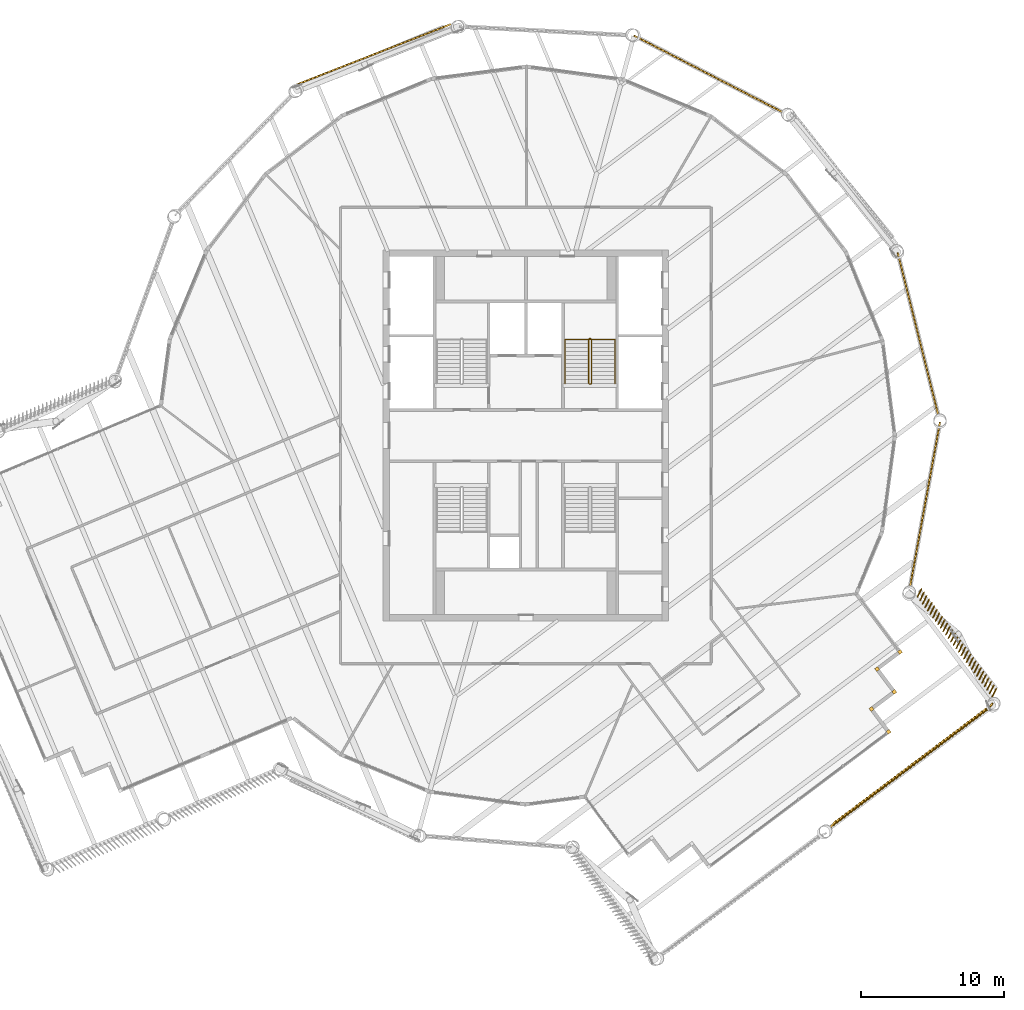
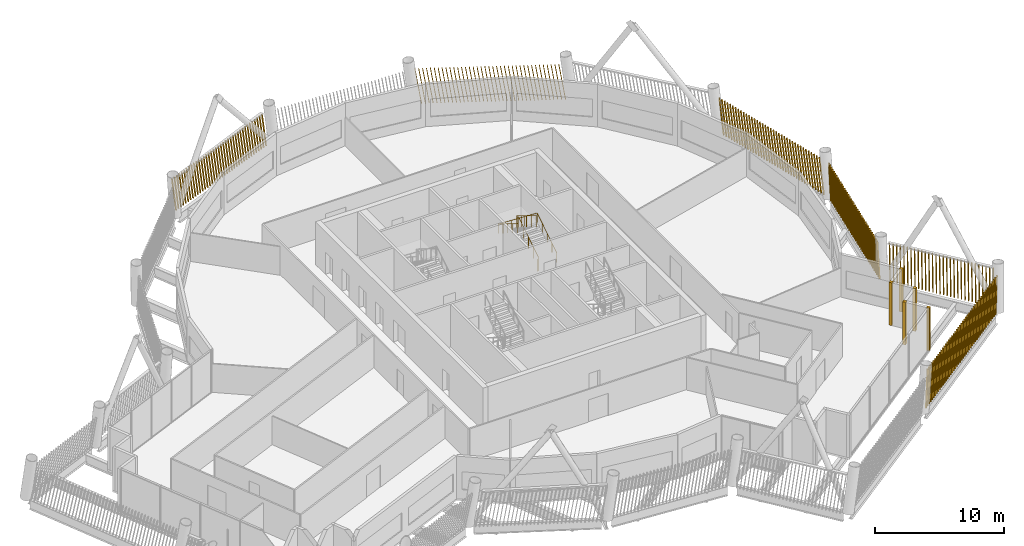
# One storey, part 33 of 35: 11 shading devices, 2 railings.
"""IFC4 building model written with IfcOpenShell, lengths in metres."""

from ifc_helpers import new_model, si_unit, direction, frame, frame_2d, origin, origin_2d, place, context, subcontext, project, spatial, rectangle, circle, composite_profile, extrude, material, type_object, element, save


model = new_model("IFC4")

# Units and contexts
model_context = context("Model", 3, precision=1e-05, world=origin(), true_north=direction((0.0, 1.0)))
body_context = subcontext(model_context, "Body", "Model", "MODEL_VIEW")
ifc_project = project(units=[si_unit("LENGTHUNIT", "METRE"), si_unit("AREAUNIT", "SQUARE_METRE"), si_unit("VOLUMEUNIT", "CUBIC_METRE"), si_unit("PLANEANGLEUNIT", "RADIAN"), si_unit("MASSUNIT", "GRAM", prefix="KILO")], contexts=[model_context])

# Site, building, storey
site_placement = place(None, origin())
site = spatial("IfcSite", under=ifc_project, at=site_placement, CompositionType="ELEMENT")
building_placement = place(site_placement, origin())
building = spatial("IfcBuilding", under=site, at=building_placement, Name="Tarsis Ring Headquarters", CompositionType="ELEMENT")
storey_placement = place(building_placement, frame((0.0, 0.0, 377.60009765625)))
storey = spatial("IfcBuildingStorey", under=building, at=storey_placement, Name="L89", CompositionType="ELEMENT", Elevation=377.60009765625)

# Railings
ifc_material_1 = material(Name="Steel S355", Category="steel")
railing_type_1 = type_object("IfcRailingType", Name="Core stair guard 1100", PredefinedType="GUARDRAIL", material=ifc_material_1)
railing_1_placement = place(storey_placement, frame((4.4599609375, 3.610107421875, 0.0)))
element("IfcRailing", 1, at=railing_1_placement, inside=storey, type_object=railing_type_1, Name="L89 ST2 stair guard 1", PredefinedType="GUARDRAIL", context=body_context, shape_type="SweptSolid", body=[
    extrude(circle(Radius=0.02392578125, at=origin_2d()), frame((0.0, 0.0, 1.076171875), z_axis=(1.0, 0.0, 0.0), x_axis=(0.0, 1.0, 0.0)), (0.0, 0.0, 1.0), 0.080078125),
    extrude(circle(Radius=0.02392578125, at=origin_2d()), frame((0.080078125, 0.0, 1.076171875), z_axis=(0.265474339444, 0.264179342666, 0.927217692888), x_axis=(-0.705375805398, 0.708833529934, 0.0)), (0.0, 0.0, 1.0), 0.1884765625),
    extrude(circle(Radius=0.02392578125, at=origin_2d()), frame((0.130126953125, 0.0498046875, 1.2509765625), z_axis=(0.0, 0.847998304005, 0.529998940003), x_axis=(-1.0, 0.0, 0.0)), (0.0, 0.0, 1.0), 3.632080078125),
    extrude(circle(Radius=0.02392578125, at=origin_2d()), frame((0.130126953125, 3.1298828125, 3.17578125), z_axis=(-0.707106781187, 0.707106781187, 0.0), x_axis=(-0.707106781187, -0.707106781187, 0.0)), (0.0, 0.0, 1.0), 0.07080078125),
    extrude(circle(Radius=0.02392578125, at=origin_2d()), frame((0.080078125, 3.179931640625, 3.17578125), z_axis=(-1.0, 0.0, 0.0), x_axis=(0.0, -1.0, 0.0)), (0.0, 0.0, 1.0), 0.080078125),
    extrude(circle(Radius=0.02392578125, at=origin_2d()), frame((0.0, 3.179931640625, 3.17578125), z_axis=(-0.265065253269, -0.265065253269, 0.927081885822), x_axis=(0.707106781187, -0.707106781187, 0.0)), (0.0, 0.0, 1.0), 0.188720703125),
    extrude(circle(Radius=0.02392578125, at=origin_2d()), frame((-0.050048828125, 3.1298828125, 3.35107421875), z_axis=(0.0, -0.847998304005, 0.529998940003), x_axis=(1.0, 0.0, 0.0)), (0.0, 0.0, 1.0), 3.632080078125),
    extrude(circle(Radius=0.02099609375, at=origin_2d()), origin(), (0.0, 0.0, 1.0), 1.052001953125),
    extrude(circle(Radius=0.02099609375, at=origin_2d()), frame((0.080078125, 0.0, 0.0)), (0.0, 0.0, 1.0), 1.052001953125),
    extrude(circle(Radius=0.02099609375, at=origin_2d()), frame((0.130126953125, 0.0498046875, 0.1748046875)), (0.0, 0.0, 1.0), 1.052001953125),
    extrude(circle(Radius=0.02099609375, at=origin_2d()), frame((0.130126953125, 0.81982421875, 0.656005859375)), (0.0, 0.0, 1.0), 1.052001953125),
    extrude(circle(Radius=0.02099609375, at=origin_2d()), frame((0.130126953125, 1.58984375, 1.13720703125)), (0.0, 0.0, 1.0), 1.052001953125),
    extrude(circle(Radius=0.02099609375, at=origin_2d()), frame((0.130126953125, 2.35986328125, 1.61865234375)), (0.0, 0.0, 1.0), 1.052001953125),
    extrude(circle(Radius=0.02099609375, at=origin_2d()), frame((0.130126953125, 3.1298828125, 2.099853515625)), (0.0, 0.0, 1.0), 1.052001953125),
    extrude(circle(Radius=0.02099609375, at=origin_2d()), frame((0.080078125, 3.179931640625, 2.099853515625)), (0.0, 0.0, 1.0), 1.052001953125),
    extrude(circle(Radius=0.02099609375, at=origin_2d()), frame((0.0, 3.179931640625, 2.099853515625)), (0.0, 0.0, 1.0), 1.052001953125),
    extrude(circle(Radius=0.02099609375, at=origin_2d()), frame((-0.050048828125, 3.1298828125, 2.27490234375)), (0.0, 0.0, 1.0), 1.052001953125),
    extrude(circle(Radius=0.02099609375, at=origin_2d()), frame((-0.050048828125, 2.35986328125, 2.756103515625)), (0.0, 0.0, 1.0), 1.052001953125),
    extrude(circle(Radius=0.02099609375, at=origin_2d()), frame((-0.050048828125, 1.58984375, 3.2373046875)), (0.0, 0.0, 1.0), 1.052001953125),
    extrude(circle(Radius=0.02099609375, at=origin_2d()), frame((-0.050048828125, 0.81982421875, 3.71875)), (0.0, 0.0, 1.0), 1.052001953125),
    extrude(circle(Radius=0.02099609375, at=origin_2d()), frame((-0.050048828125, 0.0498046875, 4.199951171875)), (0.0, 0.0, 1.0), 1.052001953125),
])
railing_type_2 = type_object("IfcRailingType", Name="Core stair handrail 900", PredefinedType="HANDRAIL", material=ifc_material_1)
railing_2_placement = place(storey_placement, frame((6.25, 3.659912109375, 0.1748046875)))
element("IfcRailing", 2, at=railing_2_placement, inside=storey, type_object=railing_type_2, Name="L89 ST2 stair handrail 1", PredefinedType="HANDRAIL", context=body_context, shape_type="SweptSolid", body=[
    extrude(circle(Radius=0.02392578125, at=origin_2d()), frame((0.0, 0.0, 0.8759765625), z_axis=(0.0, 0.847998304005, 0.529998940003), x_axis=(-1.0, 0.0, 0.0)), (0.0, 0.0, 1.0), 3.632080078125),
    extrude(circle(Radius=0.02392578125, at=origin_2d()), frame((0.0, 3.080078125, 2.80078125), z_axis=(-0.998751643845, 0.0, 0.049951515669), x_axis=(0.0, -1.0, 0.0)), (0.0, 0.0, 1.0), 3.50439453125),
    extrude(circle(Radius=0.02392578125, at=origin_2d()), frame((-3.5, 3.080078125, 2.97607421875), z_axis=(0.0, -0.847998304005, 0.529998940003), x_axis=(1.0, 0.0, 0.0)), (0.0, 0.0, 1.0), 3.632080078125),
    extrude(circle(Radius=0.02099609375, at=origin_2d()), origin(), (0.0, 0.0, 1.0), 0.851806640625),
    extrude(circle(Radius=0.02099609375, at=origin_2d()), frame((0.0, 0.77001953125, 0.481201171875)), (0.0, 0.0, 1.0), 0.851806640625),
    extrude(circle(Radius=0.02099609375, at=origin_2d()), frame((0.0, 1.5400390625, 0.96240234375)), (0.0, 0.0, 1.0), 0.851806640625),
    extrude(circle(Radius=0.02099609375, at=origin_2d()), frame((0.0, 2.31005859375, 1.44384765625)), (0.0, 0.0, 1.0), 0.851806640625),
    extrude(circle(Radius=0.02099609375, at=origin_2d()), frame((0.0, 3.080078125, 1.925048828125)), (0.0, 0.0, 1.0), 0.851806640625),
    extrude(circle(Radius=0.02099609375, at=origin_2d()), frame((-1.166748046875, 3.080078125, 1.9833984375)), (0.0, 0.0, 1.0), 0.851806640625),
    extrude(circle(Radius=0.02099609375, at=origin_2d()), frame((-2.333251953125, 3.080078125, 2.041748046875)), (0.0, 0.0, 1.0), 0.851806640625),
    extrude(circle(Radius=0.02099609375, at=origin_2d()), frame((-3.5, 3.080078125, 2.10009765625)), (0.0, 0.0, 1.0), 0.851806640625),
    extrude(circle(Radius=0.02099609375, at=origin_2d()), frame((-3.5, 2.31005859375, 2.581298828125)), (0.0, 0.0, 1.0), 0.851806640625),
    extrude(circle(Radius=0.02099609375, at=origin_2d()), frame((-3.5, 1.5400390625, 3.0625)), (0.0, 0.0, 1.0), 0.851806640625),
    extrude(circle(Radius=0.02099609375, at=origin_2d()), frame((-3.5, 0.77001953125, 3.5439453125)), (0.0, 0.0, 1.0), 0.851806640625),
    extrude(circle(Radius=0.02099609375, at=origin_2d()), frame((-3.5, 0.0, 4.025146484375)), (0.0, 0.0, 1.0), 0.851806640625),
])

# Shading devices
ifc_material_2 = material(Name="Terracotta baguette", Category="masonry")
shading_device_type_1 = type_object("IfcShadingDeviceType", Name="Terracotta baguette screen", PredefinedType="USERDEFINED", material=ifc_material_2)
shading_device_1_placement = place(storey_placement, frame((21.284912109375, -27.5361328125, 0.0), z_axis=(0.0, 0.0, 1.0), x_axis=(0.79990800368, 0.60013445616, 0.0)))
element("IfcShadingDevice", 3, at=shading_device_1_placement, inside=storey, type_object=shading_device_type_1, Name="Baguette screen L89-03", ObjectType="Terracotta baguette screen", PredefinedType="USERDEFINED", context=body_context, shape_type="SweptSolid", body=[
    extrude(composite_profile([rectangle(XDim=0.06005859375, YDim=0.1201171875, at=frame_2d((0.030029296875, 0.0))), rectangle(XDim=0.06005859375, YDim=0.1201171875, at=frame_2d((0.33544921875, 0.0))), rectangle(XDim=0.06005859375, YDim=0.1201171875, at=frame_2d((0.640625, 0.0))), rectangle(XDim=0.06005859375, YDim=0.1201171875, at=frame_2d((0.946044921875, 0.0))), rectangle(XDim=0.06005859375, YDim=0.1201171875, at=frame_2d((1.25146484375, 0.0))), rectangle(XDim=0.06005859375, YDim=0.1201171875, at=frame_2d((1.556640625, 0.0))), rectangle(XDim=0.06005859375, YDim=0.1201171875, at=frame_2d((1.862060546875, 0.0))), rectangle(XDim=0.06005859375, YDim=0.1201171875, at=frame_2d((2.16748046875, 0.0))), rectangle(XDim=0.06005859375, YDim=0.1201171875, at=frame_2d((2.47265625, 0.0))), rectangle(XDim=0.06005859375, YDim=0.1201171875, at=frame_2d((2.778076171875, 0.0))), rectangle(XDim=0.06005859375, YDim=0.1201171875, at=frame_2d((3.08349609375, 0.0))), rectangle(XDim=0.06005859375, YDim=0.1201171875, at=frame_2d((3.388671875, 0.0))), rectangle(XDim=0.06005859375, YDim=0.1201171875, at=frame_2d((3.694091796875, 0.0))), rectangle(XDim=0.06005859375, YDim=0.1201171875, at=frame_2d((3.99951171875, 0.0))), rectangle(XDim=0.06005859375, YDim=0.1201171875, at=frame_2d((4.3046875, 0.0))), rectangle(XDim=0.06005859375, YDim=0.1201171875, at=frame_2d((4.610107421875, 0.0))), rectangle(XDim=0.06005859375, YDim=0.1201171875, at=frame_2d((4.91552734375, 0.0))), rectangle(XDim=0.06005859375, YDim=0.1201171875, at=frame_2d((5.220703125, 0.0))), rectangle(XDim=0.06005859375, YDim=0.1201171875, at=frame_2d((5.526123046875, 0.0))), rectangle(XDim=0.06005859375, YDim=0.1201171875, at=frame_2d((5.83154296875, 0.0))), rectangle(XDim=0.06005859375, YDim=0.1201171875, at=frame_2d((6.13671875, 0.0))), rectangle(XDim=0.06005859375, YDim=0.1201171875, at=frame_2d((6.442138671875, 0.0))), rectangle(XDim=0.06005859375, YDim=0.1201171875, at=frame_2d((6.74755859375, 0.0))), rectangle(XDim=0.06005859375, YDim=0.1201171875, at=frame_2d((7.052734375, 0.0))), rectangle(XDim=0.06005859375, YDim=0.1201171875, at=frame_2d((7.358154296875, 0.0))), rectangle(XDim=0.06005859375, YDim=0.1201171875, at=frame_2d((7.66357421875, 0.0))), rectangle(XDim=0.06005859375, YDim=0.1201171875, at=frame_2d((7.96875, 0.0))), rectangle(XDim=0.06005859375, YDim=0.1201171875, at=frame_2d((8.274169921875, 0.0))), rectangle(XDim=0.06005859375, YDim=0.1201171875, at=frame_2d((8.57958984375, 0.0))), rectangle(XDim=0.06005859375, YDim=0.1201171875, at=frame_2d((8.884765625, 0.0))), rectangle(XDim=0.06005859375, YDim=0.1201171875, at=frame_2d((9.190185546875, 0.0))), rectangle(XDim=0.06005859375, YDim=0.1201171875, at=frame_2d((9.49560546875, 0.0))), rectangle(XDim=0.06005859375, YDim=0.1201171875, at=frame_2d((9.80078125, 0.0))), rectangle(XDim=0.06005859375, YDim=0.1201171875, at=frame_2d((10.106201171875, 0.0))), rectangle(XDim=0.06005859375, YDim=0.1201171875, at=frame_2d((10.41162109375, 0.0))), rectangle(XDim=0.06005859375, YDim=0.1201171875, at=frame_2d((10.716796875, 0.0))), rectangle(XDim=0.06005859375, YDim=0.1201171875, at=frame_2d((11.022216796875, 0.0))), rectangle(XDim=0.06005859375, YDim=0.1201171875, at=frame_2d((11.32763671875, 0.0))), rectangle(XDim=0.06005859375, YDim=0.1201171875, at=frame_2d((11.6328125, 0.0))), rectangle(XDim=0.06005859375, YDim=0.1201171875, at=frame_2d((11.938232421875, 0.0))), rectangle(XDim=0.06005859375, YDim=0.1201171875, at=frame_2d((12.24365234375, 0.0))), rectangle(XDim=0.06005859375, YDim=0.1201171875, at=frame_2d((12.548828125, 0.0))), rectangle(XDim=0.06005859375, YDim=0.1201171875, at=frame_2d((12.854248046875, 0.0))), rectangle(XDim=0.06005859375, YDim=0.1201171875, at=frame_2d((13.15966796875, 0.0))), rectangle(XDim=0.06005859375, YDim=0.1201171875, at=frame_2d((13.46484375, 0.0))), rectangle(XDim=0.06005859375, YDim=0.1201171875, at=frame_2d((13.770263671875, 0.0)))]), origin(), (0.188551931511, 0.041889261248, 0.981169434357), 3.343505859375),
])
shading_device_2_placement = place(storey_placement, frame((32.72314453125, -18.329345703125, 0.0), z_axis=(0.0, 0.0, 1.0), x_axis=(-0.600144192108, 0.799905720545, 0.0)))
element("IfcShadingDevice", 4, at=shading_device_2_placement, inside=storey, type_object=shading_device_type_1, Name="Baguette screen L89-04", ObjectType="Terracotta baguette screen", PredefinedType="USERDEFINED", context=body_context, shape_type="SweptSolid", body=[
    extrude(composite_profile([rectangle(XDim=0.06005859375, YDim=0.1201171875, at=frame_2d((0.030029296875, 0.0))), rectangle(XDim=0.06005859375, YDim=0.1201171875, at=frame_2d((0.33154296875, 0.0))), rectangle(XDim=0.06005859375, YDim=0.1201171875, at=frame_2d((0.633056640625, 0.0))), rectangle(XDim=0.06005859375, YDim=0.1201171875, at=frame_2d((0.9345703125, 0.0))), rectangle(XDim=0.06005859375, YDim=0.1201171875, at=frame_2d((1.236083984375, 0.0))), rectangle(XDim=0.06005859375, YDim=0.1201171875, at=frame_2d((1.53759765625, 0.0))), rectangle(XDim=0.06005859375, YDim=0.1201171875, at=frame_2d((1.839111328125, 0.0))), rectangle(XDim=0.06005859375, YDim=0.1201171875, at=frame_2d((2.140625, 0.0))), rectangle(XDim=0.06005859375, YDim=0.1201171875, at=frame_2d((2.442138671875, 0.0))), rectangle(XDim=0.06005859375, YDim=0.1201171875, at=frame_2d((2.74365234375, 0.0))), rectangle(XDim=0.06005859375, YDim=0.1201171875, at=frame_2d((3.045166015625, 0.0))), rectangle(XDim=0.06005859375, YDim=0.1201171875, at=frame_2d((3.3466796875, 0.0))), rectangle(XDim=0.06005859375, YDim=0.1201171875, at=frame_2d((3.648193359375, 0.0))), rectangle(XDim=0.06005859375, YDim=0.1201171875, at=frame_2d((3.94970703125, 0.0))), rectangle(XDim=0.06005859375, YDim=0.1201171875, at=frame_2d((4.251220703125, 0.0))), rectangle(XDim=0.06005859375, YDim=0.1201171875, at=frame_2d((4.552978515625, 0.0))), rectangle(XDim=0.06005859375, YDim=0.1201171875, at=frame_2d((4.8544921875, 0.0))), rectangle(XDim=0.06005859375, YDim=0.1201171875, at=frame_2d((5.156005859375, 0.0))), rectangle(XDim=0.06005859375, YDim=0.1201171875, at=frame_2d((5.45751953125, 0.0))), rectangle(XDim=0.06005859375, YDim=0.1201171875, at=frame_2d((5.759033203125, 0.0))), rectangle(XDim=0.06005859375, YDim=0.1201171875, at=frame_2d((6.060546875, 0.0))), rectangle(XDim=0.06005859375, YDim=0.1201171875, at=frame_2d((6.362060546875, 0.0))), rectangle(XDim=0.06005859375, YDim=0.1201171875, at=frame_2d((6.66357421875, 0.0))), rectangle(XDim=0.06005859375, YDim=0.1201171875, at=frame_2d((6.965087890625, 0.0))), rectangle(XDim=0.06005859375, YDim=0.1201171875, at=frame_2d((7.2666015625, 0.0))), rectangle(XDim=0.06005859375, YDim=0.1201171875, at=frame_2d((7.568115234375, 0.0))), rectangle(XDim=0.06005859375, YDim=0.1201171875, at=frame_2d((7.86962890625, 0.0))), rectangle(XDim=0.06005859375, YDim=0.1201171875, at=frame_2d((8.171142578125, 0.0))), rectangle(XDim=0.06005859375, YDim=0.1201171875, at=frame_2d((8.47265625, 0.0))), rectangle(XDim=0.06005859375, YDim=0.1201171875, at=frame_2d((8.774169921875, 0.0)))]), origin(), (0.084029429231, -0.16189510699, 0.983223794136), 3.33642578125),
])
shading_device_3_placement = place(storey_placement, frame((26.928955078125, -10.619873046875, 0.0), z_axis=(0.0, 0.0, 1.0), x_axis=(0.179120998372, 0.983830710798, 0.0)))
element("IfcShadingDevice", 5, at=shading_device_3_placement, inside=storey, type_object=shading_device_type_1, Name="Baguette screen L89-05", ObjectType="Terracotta baguette screen", PredefinedType="USERDEFINED", context=body_context, shape_type="SweptSolid", body=[
    extrude(composite_profile([rectangle(XDim=0.06005859375, YDim=0.1201171875, at=frame_2d((0.030029296875, 0.0))), rectangle(XDim=0.06005859375, YDim=0.1201171875, at=frame_2d((0.33251953125, 0.0))), rectangle(XDim=0.06005859375, YDim=0.1201171875, at=frame_2d((0.634765625, 0.0))), rectangle(XDim=0.06005859375, YDim=0.1201171875, at=frame_2d((0.937255859375, 0.0))), rectangle(XDim=0.06005859375, YDim=0.1201171875, at=frame_2d((1.239501953125, 0.0))), rectangle(XDim=0.06005859375, YDim=0.1201171875, at=frame_2d((1.5419921875, 0.0))), rectangle(XDim=0.06005859375, YDim=0.1201171875, at=frame_2d((1.844482421875, 0.0))), rectangle(XDim=0.06005859375, YDim=0.1201171875, at=frame_2d((2.146728515625, 0.0))), rectangle(XDim=0.06005859375, YDim=0.1201171875, at=frame_2d((2.44921875, 0.0))), rectangle(XDim=0.06005859375, YDim=0.1201171875, at=frame_2d((2.751708984375, 0.0))), rectangle(XDim=0.06005859375, YDim=0.1201171875, at=frame_2d((3.053955078125, 0.0))), rectangle(XDim=0.06005859375, YDim=0.1201171875, at=frame_2d((3.3564453125, 0.0))), rectangle(XDim=0.06005859375, YDim=0.1201171875, at=frame_2d((3.65869140625, 0.0))), rectangle(XDim=0.06005859375, YDim=0.1201171875, at=frame_2d((3.961181640625, 0.0))), rectangle(XDim=0.06005859375, YDim=0.1201171875, at=frame_2d((4.263671875, 0.0))), rectangle(XDim=0.06005859375, YDim=0.1201171875, at=frame_2d((4.56591796875, 0.0))), rectangle(XDim=0.06005859375, YDim=0.1201171875, at=frame_2d((4.868408203125, 0.0))), rectangle(XDim=0.06005859375, YDim=0.1201171875, at=frame_2d((5.1708984375, 0.0))), rectangle(XDim=0.06005859375, YDim=0.1201171875, at=frame_2d((5.47314453125, 0.0))), rectangle(XDim=0.06005859375, YDim=0.1201171875, at=frame_2d((5.775634765625, 0.0))), rectangle(XDim=0.06005859375, YDim=0.1201171875, at=frame_2d((6.077880859375, 0.0))), rectangle(XDim=0.06005859375, YDim=0.1201171875, at=frame_2d((6.38037109375, 0.0))), rectangle(XDim=0.06005859375, YDim=0.1201171875, at=frame_2d((6.682861328125, 0.0))), rectangle(XDim=0.06005859375, YDim=0.1201171875, at=frame_2d((6.985107421875, 0.0))), rectangle(XDim=0.06005859375, YDim=0.1201171875, at=frame_2d((7.28759765625, 0.0))), rectangle(XDim=0.06005859375, YDim=0.1201171875, at=frame_2d((7.590087890625, 0.0))), rectangle(XDim=0.06005859375, YDim=0.1201171875, at=frame_2d((7.892333984375, 0.0))), rectangle(XDim=0.06005859375, YDim=0.1201171875, at=frame_2d((8.19482421875, 0.0))), rectangle(XDim=0.06005859375, YDim=0.1201171875, at=frame_2d((8.4970703125, 0.0))), rectangle(XDim=0.06005859375, YDim=0.1201171875, at=frame_2d((8.799560546875, 0.0))), rectangle(XDim=0.06005859375, YDim=0.1201171875, at=frame_2d((9.10205078125, 0.0))), rectangle(XDim=0.06005859375, YDim=0.1201171875, at=frame_2d((9.404296875, 0.0))), rectangle(XDim=0.06005859375, YDim=0.1201171875, at=frame_2d((9.706787109375, 0.0))), rectangle(XDim=0.06005859375, YDim=0.1201171875, at=frame_2d((10.00927734375, 0.0))), rectangle(XDim=0.06005859375, YDim=0.1201171875, at=frame_2d((10.3115234375, 0.0))), rectangle(XDim=0.06005859375, YDim=0.1201171875, at=frame_2d((10.614013671875, 0.0))), rectangle(XDim=0.06005859375, YDim=0.1201171875, at=frame_2d((10.916259765625, 0.0))), rectangle(XDim=0.06005859375, YDim=0.1201171875, at=frame_2d((11.21875, 0.0)))]), origin(), (0.15520346874, 0.001408347945, 0.987881521159), 3.32080078125),
])
shading_device_4_placement = place(storey_placement, frame((28.912109375, 1.424072265625, 0.0), z_axis=(0.0, 0.0, 1.0), x_axis=(-0.242322300597, 0.970200759631, 0.0)))
element("IfcShadingDevice", 6, at=shading_device_4_placement, inside=storey, type_object=shading_device_type_1, Name="Baguette screen L89-06", ObjectType="Terracotta baguette screen", PredefinedType="USERDEFINED", context=body_context, shape_type="SweptSolid", body=[
    extrude(composite_profile([rectangle(XDim=0.06005859375, YDim=0.1201171875, at=frame_2d((0.030029296875, 0.0))), rectangle(XDim=0.06005859375, YDim=0.1201171875, at=frame_2d((0.33251953125, 0.0))), rectangle(XDim=0.06005859375, YDim=0.1201171875, at=frame_2d((0.634765625, 0.0))), rectangle(XDim=0.06005859375, YDim=0.1201171875, at=frame_2d((0.937255859375, 0.0))), rectangle(XDim=0.06005859375, YDim=0.1201171875, at=frame_2d((1.239501953125, 0.0))), rectangle(XDim=0.06005859375, YDim=0.1201171875, at=frame_2d((1.5419921875, 0.0))), rectangle(XDim=0.06005859375, YDim=0.1201171875, at=frame_2d((1.844482421875, 0.0))), rectangle(XDim=0.06005859375, YDim=0.1201171875, at=frame_2d((2.146728515625, 0.0))), rectangle(XDim=0.06005859375, YDim=0.1201171875, at=frame_2d((2.44921875, 0.0))), rectangle(XDim=0.06005859375, YDim=0.1201171875, at=frame_2d((2.751708984375, 0.0))), rectangle(XDim=0.06005859375, YDim=0.1201171875, at=frame_2d((3.053955078125, 0.0))), rectangle(XDim=0.06005859375, YDim=0.1201171875, at=frame_2d((3.3564453125, 0.0))), rectangle(XDim=0.06005859375, YDim=0.1201171875, at=frame_2d((3.65869140625, 0.0))), rectangle(XDim=0.06005859375, YDim=0.1201171875, at=frame_2d((3.961181640625, 0.0))), rectangle(XDim=0.06005859375, YDim=0.1201171875, at=frame_2d((4.263671875, 0.0))), rectangle(XDim=0.06005859375, YDim=0.1201171875, at=frame_2d((4.56591796875, 0.0))), rectangle(XDim=0.06005859375, YDim=0.1201171875, at=frame_2d((4.868408203125, 0.0))), rectangle(XDim=0.06005859375, YDim=0.1201171875, at=frame_2d((5.1708984375, 0.0))), rectangle(XDim=0.06005859375, YDim=0.1201171875, at=frame_2d((5.47314453125, 0.0))), rectangle(XDim=0.06005859375, YDim=0.1201171875, at=frame_2d((5.775634765625, 0.0))), rectangle(XDim=0.06005859375, YDim=0.1201171875, at=frame_2d((6.077880859375, 0.0))), rectangle(XDim=0.06005859375, YDim=0.1201171875, at=frame_2d((6.38037109375, 0.0))), rectangle(XDim=0.06005859375, YDim=0.1201171875, at=frame_2d((6.682861328125, 0.0))), rectangle(XDim=0.06005859375, YDim=0.1201171875, at=frame_2d((6.985107421875, 0.0))), rectangle(XDim=0.06005859375, YDim=0.1201171875, at=frame_2d((7.28759765625, 0.0))), rectangle(XDim=0.06005859375, YDim=0.1201171875, at=frame_2d((7.590087890625, 0.0))), rectangle(XDim=0.06005859375, YDim=0.1201171875, at=frame_2d((7.892333984375, 0.0))), rectangle(XDim=0.06005859375, YDim=0.1201171875, at=frame_2d((8.19482421875, 0.0))), rectangle(XDim=0.06005859375, YDim=0.1201171875, at=frame_2d((8.4970703125, 0.0))), rectangle(XDim=0.06005859375, YDim=0.1201171875, at=frame_2d((8.799560546875, 0.0))), rectangle(XDim=0.06005859375, YDim=0.1201171875, at=frame_2d((9.10205078125, 0.0))), rectangle(XDim=0.06005859375, YDim=0.1201171875, at=frame_2d((9.404296875, 0.0))), rectangle(XDim=0.06005859375, YDim=0.1201171875, at=frame_2d((9.706787109375, 0.0))), rectangle(XDim=0.06005859375, YDim=0.1201171875, at=frame_2d((10.00927734375, 0.0))), rectangle(XDim=0.06005859375, YDim=0.1201171875, at=frame_2d((10.3115234375, 0.0))), rectangle(XDim=0.06005859375, YDim=0.1201171875, at=frame_2d((10.614013671875, 0.0))), rectangle(XDim=0.06005859375, YDim=0.1201171875, at=frame_2d((10.916259765625, 0.0))), rectangle(XDim=0.06005859375, YDim=0.1201171875, at=frame_2d((11.21875, 0.0)))]), origin(), (0.155203624697, 0.001409079608, 0.987881495614), 3.32080078125),
])
shading_device_5_placement = place(storey_placement, frame((18.01806640625, 22.656005859375, 0.0), z_axis=(0.0, 0.0, 1.0), x_axis=(-0.888681497558, 0.458513293543, 0.0)))
element("IfcShadingDevice", 7, at=shading_device_5_placement, inside=storey, type_object=shading_device_type_1, Name="Baguette screen L89-08", ObjectType="Terracotta baguette screen", PredefinedType="USERDEFINED", context=body_context, shape_type="SweptSolid", body=[
    extrude(composite_profile([rectangle(XDim=0.06005859375, YDim=0.1201171875, at=frame_2d((0.030029296875, 0.0))), rectangle(XDim=0.06005859375, YDim=0.1201171875, at=frame_2d((0.33251953125, 0.0))), rectangle(XDim=0.06005859375, YDim=0.1201171875, at=frame_2d((0.634765625, 0.0))), rectangle(XDim=0.06005859375, YDim=0.1201171875, at=frame_2d((0.937255859375, 0.0))), rectangle(XDim=0.06005859375, YDim=0.1201171875, at=frame_2d((1.239501953125, 0.0))), rectangle(XDim=0.06005859375, YDim=0.1201171875, at=frame_2d((1.5419921875, 0.0))), rectangle(XDim=0.06005859375, YDim=0.1201171875, at=frame_2d((1.844482421875, 0.0))), rectangle(XDim=0.06005859375, YDim=0.1201171875, at=frame_2d((2.146728515625, 0.0))), rectangle(XDim=0.06005859375, YDim=0.1201171875, at=frame_2d((2.44921875, 0.0))), rectangle(XDim=0.06005859375, YDim=0.1201171875, at=frame_2d((2.751708984375, 0.0))), rectangle(XDim=0.06005859375, YDim=0.1201171875, at=frame_2d((3.053955078125, 0.0))), rectangle(XDim=0.06005859375, YDim=0.1201171875, at=frame_2d((3.3564453125, 0.0))), rectangle(XDim=0.06005859375, YDim=0.1201171875, at=frame_2d((3.65869140625, 0.0))), rectangle(XDim=0.06005859375, YDim=0.1201171875, at=frame_2d((3.961181640625, 0.0))), rectangle(XDim=0.06005859375, YDim=0.1201171875, at=frame_2d((4.263671875, 0.0))), rectangle(XDim=0.06005859375, YDim=0.1201171875, at=frame_2d((4.56591796875, 0.0))), rectangle(XDim=0.06005859375, YDim=0.1201171875, at=frame_2d((4.868408203125, 0.0))), rectangle(XDim=0.06005859375, YDim=0.1201171875, at=frame_2d((5.1708984375, 0.0))), rectangle(XDim=0.06005859375, YDim=0.1201171875, at=frame_2d((5.47314453125, 0.0))), rectangle(XDim=0.06005859375, YDim=0.1201171875, at=frame_2d((5.775634765625, 0.0))), rectangle(XDim=0.06005859375, YDim=0.1201171875, at=frame_2d((6.077880859375, 0.0))), rectangle(XDim=0.06005859375, YDim=0.1201171875, at=frame_2d((6.38037109375, 0.0))), rectangle(XDim=0.06005859375, YDim=0.1201171875, at=frame_2d((6.682861328125, 0.0))), rectangle(XDim=0.06005859375, YDim=0.1201171875, at=frame_2d((6.985107421875, 0.0))), rectangle(XDim=0.06005859375, YDim=0.1201171875, at=frame_2d((7.28759765625, 0.0))), rectangle(XDim=0.06005859375, YDim=0.1201171875, at=frame_2d((7.590087890625, 0.0))), rectangle(XDim=0.06005859375, YDim=0.1201171875, at=frame_2d((7.892333984375, 0.0))), rectangle(XDim=0.06005859375, YDim=0.1201171875, at=frame_2d((8.19482421875, 0.0))), rectangle(XDim=0.06005859375, YDim=0.1201171875, at=frame_2d((8.4970703125, 0.0))), rectangle(XDim=0.06005859375, YDim=0.1201171875, at=frame_2d((8.799560546875, 0.0))), rectangle(XDim=0.06005859375, YDim=0.1201171875, at=frame_2d((9.10205078125, 0.0))), rectangle(XDim=0.06005859375, YDim=0.1201171875, at=frame_2d((9.404296875, 0.0))), rectangle(XDim=0.06005859375, YDim=0.1201171875, at=frame_2d((9.706787109375, 0.0))), rectangle(XDim=0.06005859375, YDim=0.1201171875, at=frame_2d((10.00927734375, 0.0))), rectangle(XDim=0.06005859375, YDim=0.1201171875, at=frame_2d((10.3115234375, 0.0))), rectangle(XDim=0.06005859375, YDim=0.1201171875, at=frame_2d((10.614013671875, 0.0))), rectangle(XDim=0.06005859375, YDim=0.1201171875, at=frame_2d((10.916259765625, 0.0))), rectangle(XDim=0.06005859375, YDim=0.1201171875, at=frame_2d((11.21875, 0.0)))]), origin(), (0.155202139319, 0.001409032001, 0.987881729044), 3.32080078125),
])
shading_device_6_placement = place(storey_placement, frame((-5.2578125, 28.83984375, 0.0), z_axis=(0.0, 0.0, 1.0), x_axis=(-0.93109210869, -0.36476690685, 0.0)))
element("IfcShadingDevice", 8, at=shading_device_6_placement, inside=storey, type_object=shading_device_type_1, Name="Baguette screen L89-10", ObjectType="Terracotta baguette screen", PredefinedType="USERDEFINED", context=body_context, shape_type="SweptSolid", body=[
    extrude(composite_profile([rectangle(XDim=0.06005859375, YDim=0.1201171875, at=frame_2d((0.030029296875, 0.0))), rectangle(XDim=0.06005859375, YDim=0.1201171875, at=frame_2d((0.33251953125, 0.0))), rectangle(XDim=0.06005859375, YDim=0.1201171875, at=frame_2d((0.634765625, 0.0))), rectangle(XDim=0.06005859375, YDim=0.1201171875, at=frame_2d((0.937255859375, 0.0))), rectangle(XDim=0.06005859375, YDim=0.1201171875, at=frame_2d((1.239501953125, 0.0))), rectangle(XDim=0.06005859375, YDim=0.1201171875, at=frame_2d((1.5419921875, 0.0))), rectangle(XDim=0.06005859375, YDim=0.1201171875, at=frame_2d((1.844482421875, 0.0))), rectangle(XDim=0.06005859375, YDim=0.1201171875, at=frame_2d((2.146728515625, 0.0))), rectangle(XDim=0.06005859375, YDim=0.1201171875, at=frame_2d((2.44921875, 0.0))), rectangle(XDim=0.06005859375, YDim=0.1201171875, at=frame_2d((2.751708984375, 0.0))), rectangle(XDim=0.06005859375, YDim=0.1201171875, at=frame_2d((3.053955078125, 0.0))), rectangle(XDim=0.06005859375, YDim=0.1201171875, at=frame_2d((3.3564453125, 0.0))), rectangle(XDim=0.06005859375, YDim=0.1201171875, at=frame_2d((3.65869140625, 0.0))), rectangle(XDim=0.06005859375, YDim=0.1201171875, at=frame_2d((3.961181640625, 0.0))), rectangle(XDim=0.06005859375, YDim=0.1201171875, at=frame_2d((4.263671875, 0.0))), rectangle(XDim=0.06005859375, YDim=0.1201171875, at=frame_2d((4.56591796875, 0.0))), rectangle(XDim=0.06005859375, YDim=0.1201171875, at=frame_2d((4.868408203125, 0.0))), rectangle(XDim=0.06005859375, YDim=0.1201171875, at=frame_2d((5.1708984375, 0.0))), rectangle(XDim=0.06005859375, YDim=0.1201171875, at=frame_2d((5.47314453125, 0.0))), rectangle(XDim=0.06005859375, YDim=0.1201171875, at=frame_2d((5.775634765625, 0.0))), rectangle(XDim=0.06005859375, YDim=0.1201171875, at=frame_2d((6.077880859375, 0.0))), rectangle(XDim=0.06005859375, YDim=0.1201171875, at=frame_2d((6.38037109375, 0.0))), rectangle(XDim=0.06005859375, YDim=0.1201171875, at=frame_2d((6.682861328125, 0.0))), rectangle(XDim=0.06005859375, YDim=0.1201171875, at=frame_2d((6.985107421875, 0.0))), rectangle(XDim=0.06005859375, YDim=0.1201171875, at=frame_2d((7.28759765625, 0.0))), rectangle(XDim=0.06005859375, YDim=0.1201171875, at=frame_2d((7.590087890625, 0.0))), rectangle(XDim=0.06005859375, YDim=0.1201171875, at=frame_2d((7.892333984375, 0.0))), rectangle(XDim=0.06005859375, YDim=0.1201171875, at=frame_2d((8.19482421875, 0.0))), rectangle(XDim=0.06005859375, YDim=0.1201171875, at=frame_2d((8.4970703125, 0.0))), rectangle(XDim=0.06005859375, YDim=0.1201171875, at=frame_2d((8.799560546875, 0.0))), rectangle(XDim=0.06005859375, YDim=0.1201171875, at=frame_2d((9.10205078125, 0.0))), rectangle(XDim=0.06005859375, YDim=0.1201171875, at=frame_2d((9.404296875, 0.0))), rectangle(XDim=0.06005859375, YDim=0.1201171875, at=frame_2d((9.706787109375, 0.0))), rectangle(XDim=0.06005859375, YDim=0.1201171875, at=frame_2d((10.00927734375, 0.0))), rectangle(XDim=0.06005859375, YDim=0.1201171875, at=frame_2d((10.3115234375, 0.0))), rectangle(XDim=0.06005859375, YDim=0.1201171875, at=frame_2d((10.614013671875, 0.0))), rectangle(XDim=0.06005859375, YDim=0.1201171875, at=frame_2d((10.916259765625, 0.0))), rectangle(XDim=0.06005859375, YDim=0.1201171875, at=frame_2d((11.21875, 0.0)))]), origin(), (0.157201435031, 0.001427770556, 0.987565527089), 3.32177734375),
])
shading_device_type_2 = type_object("IfcShadingDeviceType", Name="Terracotta corner baguette 250x250", PredefinedType="USERDEFINED", material=ifc_material_2)
for number, where, z_axis, x_axis, name in (
    (9, (25.4287109375, -20.7705078125, 0.0), (0.0, 0.0, 1.0), (0.799894216909, 0.600141018225, 0.0), "Corner baguette L89-12"),
    (10, (24.228271484375, -19.170654296875, 0.0), (0.0, 0.0, 1.0), (-0.600140864656, 0.799894332127, 0.0), "Corner baguette L89-13"),
    (11, (25.828125, -17.970458984375, 0.0), (0.0, 0.0, 1.0), (0.7998943845, 0.600140794852, 0.0), "Corner baguette L89-14"),
    (12, (24.6279296875, -16.37060546875, 0.0), (0.0, 0.0, 1.0), (-0.600140864656, 0.799894332127, 0.0), "Corner baguette L89-15"),
    (13, (26.227783203125, -15.17041015625, 0.0), (0.0, 0.0, 1.0), (0.799894332127, 0.600140864656, 0.0), "Corner baguette L89-16"),
):
    element("IfcShadingDevice", number, at=place(storey_placement, frame(where, z_axis=z_axis, x_axis=x_axis)), inside=storey, type_object=shading_device_type_2, Name=name, ObjectType="Terracotta corner baguette", PredefinedType="USERDEFINED", context=body_context, shape_type="SweptSolid", body=[
        extrude(rectangle(XDim=0.25, YDim=0.25, at=origin_2d()), origin(), (0.0, 0.0, 1.0), 4.0400390625),
    ])

save(model, "model.ifc")
